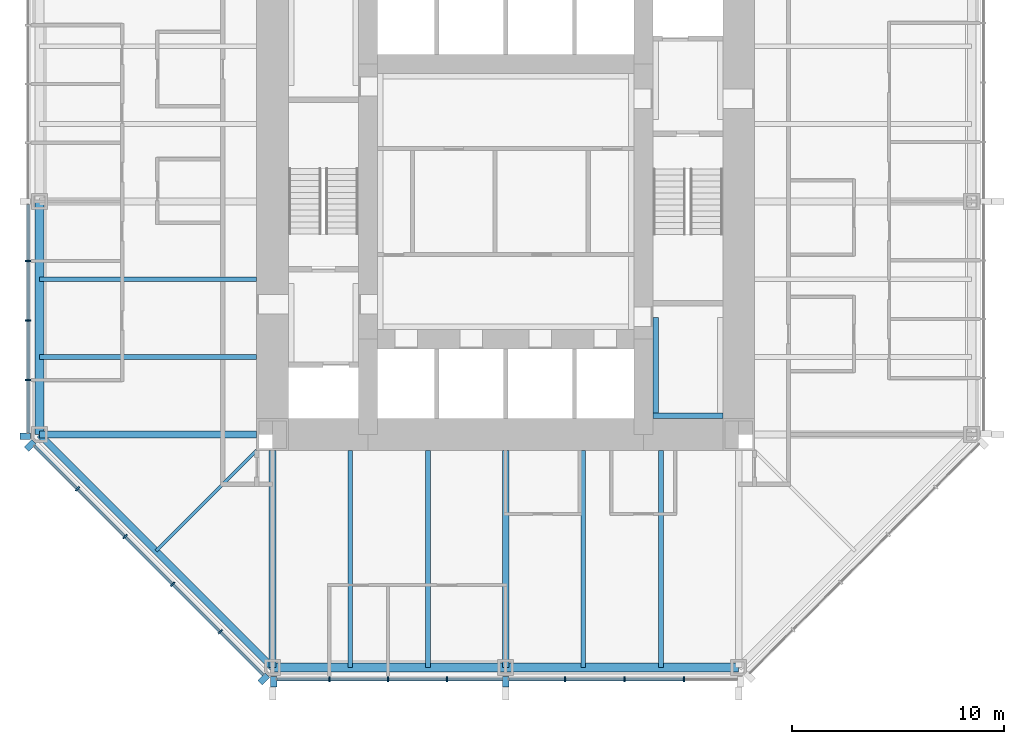
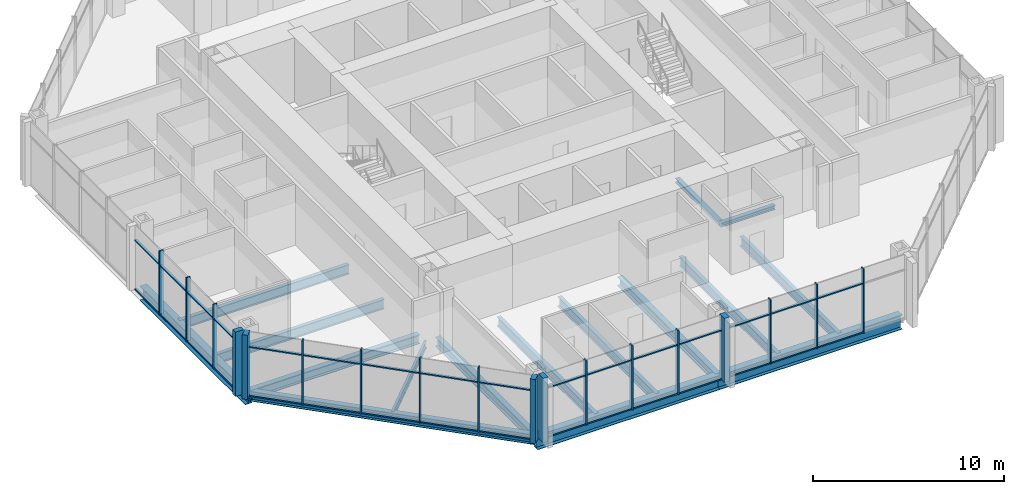
# One storey, part 2 of 12: 50 members, 16 beams, 3 elements without a shape of their own.
"""IFC4 building model written with IfcOpenShell, lengths in metres."""

from ifc_helpers import new_model, si_unit, direction, frame, origin, origin_2d, place, context, subcontext, project, spatial, rectangle, i_section, extrude, material, material_profile, profile_set, type_object, element, aggregate, save


model = new_model("IFC4")

# Units and contexts
model_context = context("Model", 3, precision=1e-05, world=origin(), true_north=direction((0.0, 1.0)))
body_context = subcontext(model_context, "Body", "Model", "MODEL_VIEW")
ifc_project = project(units=[si_unit("LENGTHUNIT", "METRE"), si_unit("AREAUNIT", "SQUARE_METRE"), si_unit("VOLUMEUNIT", "CUBIC_METRE"), si_unit("PLANEANGLEUNIT", "RADIAN"), si_unit("MASSUNIT", "GRAM", prefix="KILO")], contexts=[model_context])

# Site, building, storey
site_placement = place(None, origin())
site = spatial("IfcSite", under=ifc_project, at=site_placement, CompositionType="ELEMENT")
building_placement = place(site_placement, origin())
building = spatial("IfcBuilding", under=site, at=building_placement, Name="Trevanion Tower", CompositionType="ELEMENT")
storey_placement = place(building_placement, frame((0.0, 0.0, 113.10009765625)))
storey = spatial("IfcBuildingStorey", under=building, at=storey_placement, Name="L26", CompositionType="ELEMENT", Elevation=113.10009765625)

# Beams
ifc_material_1 = material(Name="Steel ASTM A992 Grade 50", Category="steel")
ifc_material_profile_1 = material_profile(ifc_material_1, i_section(OverallWidth=0.22900390625, OverallDepth=0.612060546875, WebThickness=0.011962890625, FlangeThickness=0.01953125, at=origin_2d()), Name="W24X84")
ifc_profile_set_1 = profile_set([ifc_material_profile_1], Name="Steel ASTM A992 Grade 50")
beam_type_1 = type_object("IfcBeamType", Name="B7 W24X84", PredefinedType="BEAM", material=ifc_profile_set_1)
for number, where, z_axis, x_axis, name in (
    (1, (-11.75, -3.666748046875, -0.49609375), (-1.0, 0.0, 0.0), (0.0, -1.0, 0.0), "B7 L26"),
    (2, (-11.75, -7.333251953125, -0.49609375), (-1.0, 0.0, 0.0), (0.0, -1.0, 0.0), "B7 L26"),
    (3, (-7.333251953125, -11.75, -0.49609375), (0.0, -1.0, 0.0), (1.0, 0.0, 0.0), "B7 L26"),
    (4, (-3.666748046875, -11.75, -0.49609375), (0.0, -1.0, 0.0), (1.0, 0.0, 0.0), "B7 L26"),
    (5, (3.666748046875, -11.75, -0.49609375), (0.0, -1.0, 0.0), (1.0, 0.0, 0.0), "B7 L26"),
    (6, (7.333251953125, -11.75, -0.49609375), (0.0, -1.0, 0.0), (1.0, 0.0, 0.0), "B7 L26"),
):
    element("IfcBeam", number, at=place(storey_placement, frame(where, z_axis=z_axis, x_axis=x_axis)), inside=storey, type_object=beam_type_1, Name=name, PredefinedType="BEAM", context=body_context, shape_type="SweptSolid", body=[
        extrude(i_section(OverallWidth=0.22900390625, OverallDepth=0.612060546875, WebThickness=0.011962890625, FlangeThickness=0.01953125, at=origin_2d()), origin(), (0.0, 0.0, 1.0), 10.25),
    ])
ifc_material_2 = material(Name="Steel ASTM A992 Grade 50", Category="steel")
ifc_material_profile_2 = material_profile(ifc_material_2, i_section(OverallWidth=0.15234375, OverallDepth=0.449462890625, WebThickness=0.007568359375, FlangeThickness=0.0107421875, at=origin_2d()), Name="W18X35")
ifc_profile_set_2 = profile_set([ifc_material_profile_2], Name="Steel ASTM A992 Grade 50")
beam_type_2 = type_object("IfcBeamType", Name="B8 W18X35", PredefinedType="BEAM", material=ifc_profile_set_2)
beam_1_placement = place(storey_placement, frame((-11.75, -11.75, -0.414794921875), z_axis=(-0.707106781187, -0.707106781187, 0.0), x_axis=(0.707106781187, -0.707106781187, 0.0)))
element("IfcBeam", 7, at=beam_1_placement, inside=storey, type_object=beam_type_2, Name="B8 L26", PredefinedType="BEAM", context=body_context, shape_type="SweptSolid", body=[
    extrude(i_section(OverallWidth=0.15234375, OverallDepth=0.449462890625, WebThickness=0.007568359375, FlangeThickness=0.0107421875, at=origin_2d()), origin(), (0.0, 0.0, 1.0), 6.717529296875),
])

# Curtain wall, members
ifc_material_3 = material(Name="Aluminium and glass", Category="aluminium")
curtain_wall_type = type_object("IfcCurtainWallType", Name="CW2 curtain wall", PredefinedType="USERDEFINED", material=ifc_material_3)
curtain_wall_1_placement = place(storey_placement, origin())
curtain_wall_1 = element("IfcCurtainWall", 8, at=curtain_wall_1_placement, inside=storey, type_object=curtain_wall_type, Name="CW2 L26 4", ObjectType="UNITISED CURTAIN WALL", PredefinedType="USERDEFINED")
ifc_material_4 = material(Name="Aluminium extrusion, anodised bronze", Category="aluminium")
ifc_material_profile_3 = material_profile(ifc_material_4, rectangle(XDim=0.074951171875, YDim=0.25, at=origin_2d()), Name="CW2 mullion")
ifc_profile_set_3 = profile_set([ifc_material_profile_3], Name="Aluminium extrusion, anodised bronze")
member_type_1 = type_object("IfcMemberType", Name="CW2 mullion", PredefinedType="MULLION", material=ifc_profile_set_3)
member_1_placement = place(storey_placement, frame((-22.550048828125, -2.806884765625, -0.190185546875), z_axis=(0.0, 0.0, 1.0), x_axis=(0.0, -1.0, 0.0)))
member_1 = element("IfcMember", 9, at=member_1_placement, type_object=member_type_1, Name="CW2 mullion 6", PredefinedType="MULLION", context=body_context, shape_type="SweptSolid", body=[
    extrude(rectangle(XDim=0.074951171875, YDim=0.25, at=origin_2d()), origin(), (0.0, 0.0, 1.0), 4.10009765625),
])
member_2_placement = place(storey_placement, frame((-22.550048828125, -5.614013671875, -0.190185546875), z_axis=(0.0, 0.0, 1.0), x_axis=(0.0, -1.0, 0.0)))
member_2 = element("IfcMember", 10, at=member_2_placement, type_object=member_type_1, Name="CW2 mullion 7", PredefinedType="MULLION", context=body_context, shape_type="SweptSolid", body=[
    extrude(rectangle(XDim=0.074951171875, YDim=0.25, at=origin_2d()), origin(), (0.0, 0.0, 1.0), 4.10009765625),
])
member_3_placement = place(storey_placement, frame((-22.550048828125, -8.4208984375, -0.190185546875), z_axis=(0.0, 0.0, 1.0), x_axis=(0.0, -1.0, 0.0)))
member_3 = element("IfcMember", 11, at=member_3_placement, type_object=member_type_1, Name="CW2 mullion 8", PredefinedType="MULLION", context=body_context, shape_type="SweptSolid", body=[
    extrude(rectangle(XDim=0.074951171875, YDim=0.25, at=origin_2d()), origin(), (0.0, 0.0, 1.0), 4.10009765625),
])

curtain_wall_2_placement = place(storey_placement, origin())
curtain_wall_2 = element("IfcCurtainWall", 12, at=curtain_wall_2_placement, inside=storey, type_object=curtain_wall_type, Name="CW2 L26 5", ObjectType="UNITISED CURTAIN WALL", PredefinedType="USERDEFINED")
member_4_placement = place(storey_placement, frame((-20.2119140625, -13.56591796875, -0.190185546875), z_axis=(0.0, 0.0, 1.0), x_axis=(0.707106781187, -0.707106781187, 0.0)))
member_4 = element("IfcMember", 13, at=member_4_placement, type_object=member_type_1, Name="CW2 mullion 2", PredefinedType="MULLION", context=body_context, shape_type="SweptSolid", body=[
    extrude(rectangle(XDim=0.074951171875, YDim=0.25, at=origin_2d()), origin(), (0.0, 0.0, 1.0), 4.10009765625),
])
member_5_placement = place(storey_placement, frame((-17.966064453125, -15.811767578125, -0.190185546875), z_axis=(0.0, 0.0, 1.0), x_axis=(0.707106781187, -0.707106781187, 0.0)))
member_5 = element("IfcMember", 14, at=member_5_placement, type_object=member_type_1, Name="CW2 mullion 3", PredefinedType="MULLION", context=body_context, shape_type="SweptSolid", body=[
    extrude(rectangle(XDim=0.074951171875, YDim=0.25, at=origin_2d()), origin(), (0.0, 0.0, 1.0), 4.10009765625),
])
member_6_placement = place(storey_placement, frame((-15.719970703125, -18.057861328125, -0.190185546875), z_axis=(0.0, 0.0, 1.0), x_axis=(0.707106781187, -0.707106781187, 0.0)))
member_6 = element("IfcMember", 15, at=member_6_placement, type_object=member_type_1, Name="CW2 mullion 4", PredefinedType="MULLION", context=body_context, shape_type="SweptSolid", body=[
    extrude(rectangle(XDim=0.074951171875, YDim=0.25, at=origin_2d()), origin(), (0.0, 0.0, 1.0), 4.10009765625),
])
member_7_placement = place(storey_placement, frame((-13.473876953125, -20.303955078125, -0.190185546875), z_axis=(0.0, 0.0, 1.0), x_axis=(0.707106781187, -0.707106781187, 0.0)))
member_7 = element("IfcMember", 16, at=member_7_placement, type_object=member_type_1, Name="CW2 mullion 5", PredefinedType="MULLION", context=body_context, shape_type="SweptSolid", body=[
    extrude(rectangle(XDim=0.074951171875, YDim=0.25, at=origin_2d()), origin(), (0.0, 0.0, 1.0), 4.10009765625),
])

curtain_wall_3_placement = place(storey_placement, origin())
curtain_wall_3 = element("IfcCurtainWall", 17, at=curtain_wall_3_placement, inside=storey, type_object=curtain_wall_type, Name="CW2 L26 6", ObjectType="UNITISED CURTAIN WALL", PredefinedType="USERDEFINED")
member_8_placement = place(storey_placement, frame((-8.323486328125, -22.550048828125, -0.190185546875), z_axis=(0.0, 0.0, 1.0), x_axis=(1.0, 0.0, 0.0)))
member_8 = element("IfcMember", 18, at=member_8_placement, type_object=member_type_1, Name="CW2 mullion 2", PredefinedType="MULLION", context=body_context, shape_type="SweptSolid", body=[
    extrude(rectangle(XDim=0.074951171875, YDim=0.25, at=origin_2d()), origin(), (0.0, 0.0, 1.0), 4.10009765625),
])
member_9_placement = place(storey_placement, frame((-5.548828125, -22.550048828125, -0.190185546875), z_axis=(0.0, 0.0, 1.0), x_axis=(1.0, 0.0, 0.0)))
member_9 = element("IfcMember", 19, at=member_9_placement, type_object=member_type_1, Name="CW2 mullion 3", PredefinedType="MULLION", context=body_context, shape_type="SweptSolid", body=[
    extrude(rectangle(XDim=0.074951171875, YDim=0.25, at=origin_2d()), origin(), (0.0, 0.0, 1.0), 4.10009765625),
])
member_10_placement = place(storey_placement, frame((-2.7744140625, -22.550048828125, -0.190185546875), z_axis=(0.0, 0.0, 1.0), x_axis=(1.0, 0.0, 0.0)))
member_10 = element("IfcMember", 20, at=member_10_placement, type_object=member_type_1, Name="CW2 mullion 4", PredefinedType="MULLION", context=body_context, shape_type="SweptSolid", body=[
    extrude(rectangle(XDim=0.074951171875, YDim=0.25, at=origin_2d()), origin(), (0.0, 0.0, 1.0), 4.10009765625),
])
member_11_placement = place(storey_placement, frame((2.806884765625, -22.550048828125, -0.190185546875), z_axis=(0.0, 0.0, 1.0), x_axis=(1.0, 0.0, 0.0)))
member_11 = element("IfcMember", 21, at=member_11_placement, type_object=member_type_1, Name="CW2 mullion 6", PredefinedType="MULLION", context=body_context, shape_type="SweptSolid", body=[
    extrude(rectangle(XDim=0.074951171875, YDim=0.25, at=origin_2d()), origin(), (0.0, 0.0, 1.0), 4.10009765625),
])
member_12_placement = place(storey_placement, frame((5.614013671875, -22.550048828125, -0.190185546875), z_axis=(0.0, 0.0, 1.0), x_axis=(1.0, 0.0, 0.0)))
member_12 = element("IfcMember", 22, at=member_12_placement, type_object=member_type_1, Name="CW2 mullion 7", PredefinedType="MULLION", context=body_context, shape_type="SweptSolid", body=[
    extrude(rectangle(XDim=0.074951171875, YDim=0.25, at=origin_2d()), origin(), (0.0, 0.0, 1.0), 4.10009765625),
])
member_13_placement = place(storey_placement, frame((8.4208984375, -22.550048828125, -0.190185546875), z_axis=(0.0, 0.0, 1.0), x_axis=(1.0, 0.0, 0.0)))
member_13 = element("IfcMember", 23, at=member_13_placement, type_object=member_type_1, Name="CW2 mullion 8", PredefinedType="MULLION", context=body_context, shape_type="SweptSolid", body=[
    extrude(rectangle(XDim=0.074951171875, YDim=0.25, at=origin_2d()), origin(), (0.0, 0.0, 1.0), 4.10009765625),
])

# Member
ifc_material_5 = material(Name="Aluminium extrusion, anodised bronze", Category="aluminium")
ifc_material_profile_4 = material_profile(ifc_material_5, rectangle(XDim=0.300048828125, YDim=0.5, at=origin_2d()), Name="CW2 pier mullion")
ifc_profile_set_4 = profile_set([ifc_material_profile_4], Name="Aluminium extrusion, anodised bronze")
member_type_2 = type_object("IfcMemberType", Name="CW2 pier mullion", PredefinedType="MULLION", material=ifc_profile_set_4)
member_14_placement = place(storey_placement, frame((-22.675048828125, -11.077880859375, -0.190185546875), z_axis=(0.0, 0.0, 1.0), x_axis=(0.0, -1.0, 0.0)))
member_14 = element("IfcMember", 24, at=member_14_placement, type_object=member_type_2, Name="CW2 pier mullion 9", PredefinedType="MULLION", context=body_context, shape_type="SweptSolid", body=[
    extrude(rectangle(XDim=0.300048828125, YDim=0.5, at=origin_2d()), origin(), (0.0, 0.0, 1.0), 4.10009765625),
])

member_15_placement = place(storey_placement, frame((-22.4404296875, -11.51416015625, -0.190185546875), z_axis=(0.0, 0.0, 1.0), x_axis=(0.707106781187, -0.707106781187, 0.0)))
member_15 = element("IfcMember", 25, at=member_15_placement, type_object=member_type_2, Name="CW2 pier mullion 1", PredefinedType="MULLION", context=body_context, shape_type="SweptSolid", body=[
    extrude(rectangle(XDim=0.300048828125, YDim=0.5, at=origin_2d()), origin(), (0.0, 0.0, 1.0), 4.10009765625),
])

member_16_placement = place(storey_placement, frame((-11.42236328125, -22.5322265625, -0.190185546875), z_axis=(0.0, 0.0, 1.0), x_axis=(0.707106781187, -0.707106781187, 0.0)))
member_16 = element("IfcMember", 26, at=member_16_placement, type_object=member_type_2, Name="CW2 pier mullion 6", PredefinedType="MULLION", context=body_context, shape_type="SweptSolid", body=[
    extrude(rectangle(XDim=0.300048828125, YDim=0.5, at=origin_2d()), origin(), (0.0, 0.0, 1.0), 4.10009765625),
])

member_17_placement = place(storey_placement, frame((-10.94775390625, -22.675048828125, -0.190185546875), z_axis=(0.0, 0.0, 1.0), x_axis=(1.0, 0.0, 0.0)))
member_17 = element("IfcMember", 27, at=member_17_placement, type_object=member_type_2, Name="CW2 pier mullion 1", PredefinedType="MULLION", context=body_context, shape_type="SweptSolid", body=[
    extrude(rectangle(XDim=0.300048828125, YDim=0.5, at=origin_2d()), origin(), (0.0, 0.0, 1.0), 4.10009765625),
])

member_18_placement = place(storey_placement, frame((0.0, -22.675048828125, -0.190185546875), z_axis=(0.0, 0.0, 1.0), x_axis=(1.0, 0.0, 0.0)))
member_18 = element("IfcMember", 28, at=member_18_placement, type_object=member_type_2, Name="CW2 pier mullion 5", PredefinedType="MULLION", context=body_context, shape_type="SweptSolid", body=[
    extrude(rectangle(XDim=0.300048828125, YDim=0.5, at=origin_2d()), origin(), (0.0, 0.0, 1.0), 4.10009765625),
])

ifc_material_6 = material(Name="Aluminium extrusion, anodised bronze", Category="aluminium")
ifc_material_profile_5 = material_profile(ifc_material_6, rectangle(XDim=0.14990234375, YDim=0.074951171875, at=origin_2d()), Name="CW2 transom")
ifc_profile_set_5 = profile_set([ifc_material_profile_5], Name="Aluminium extrusion, anodised bronze")
member_type_3 = type_object("IfcMemberType", Name="CW2 transom", PredefinedType="USERDEFINED", material=ifc_profile_set_5)
member_19_placement = place(storey_placement, frame((-22.550048828125, -0.14990234375, -0.152587890625), z_axis=(0.0, -1.0, 0.0), x_axis=(1.0, 0.0, 0.0)))
member_19 = element("IfcMember", 29, at=member_19_placement, type_object=member_type_3, Name="CW2 transom 5.1", ObjectType="TRANSOM", PredefinedType="USERDEFINED", context=body_context, shape_type="SweptSolid", body=[
    extrude(rectangle(XDim=0.14990234375, YDim=0.074951171875, at=origin_2d()), origin(), (0.0, 0.0, 1.0), 2.619384765625),
])

member_20_placement = place(storey_placement, frame((-22.550048828125, -0.14990234375, 2.9599609375), z_axis=(0.0, -1.0, 0.0), x_axis=(1.0, 0.0, 0.0)))
member_20 = element("IfcMember", 30, at=member_20_placement, type_object=member_type_3, Name="CW2 transom 5.2", ObjectType="TRANSOM", PredefinedType="USERDEFINED", context=body_context, shape_type="SweptSolid", body=[
    extrude(rectangle(XDim=0.14990234375, YDim=0.074951171875, at=origin_2d()), origin(), (0.0, 0.0, 1.0), 2.619384765625),
])

member_21_placement = place(storey_placement, frame((-22.550048828125, -2.844482421875, -0.152587890625), z_axis=(0.0, -1.0, 0.0), x_axis=(1.0, 0.0, 0.0)))
member_21 = element("IfcMember", 31, at=member_21_placement, type_object=member_type_3, Name="CW2 transom 6.1", ObjectType="TRANSOM", PredefinedType="USERDEFINED", context=body_context, shape_type="SweptSolid", body=[
    extrude(rectangle(XDim=0.14990234375, YDim=0.074951171875, at=origin_2d()), origin(), (0.0, 0.0, 1.0), 2.73193359375),
])

member_22_placement = place(storey_placement, frame((-22.550048828125, -2.844482421875, 2.9599609375), z_axis=(0.0, -1.0, 0.0), x_axis=(1.0, 0.0, 0.0)))
member_22 = element("IfcMember", 32, at=member_22_placement, type_object=member_type_3, Name="CW2 transom 6.2", ObjectType="TRANSOM", PredefinedType="USERDEFINED", context=body_context, shape_type="SweptSolid", body=[
    extrude(rectangle(XDim=0.14990234375, YDim=0.074951171875, at=origin_2d()), origin(), (0.0, 0.0, 1.0), 2.73193359375),
])

member_23_placement = place(storey_placement, frame((-22.550048828125, -5.6513671875, -0.152587890625), z_axis=(0.0, -1.0, 0.0), x_axis=(1.0, 0.0, 0.0)))
member_23 = element("IfcMember", 33, at=member_23_placement, type_object=member_type_3, Name="CW2 transom 7.1", ObjectType="TRANSOM", PredefinedType="USERDEFINED", context=body_context, shape_type="SweptSolid", body=[
    extrude(rectangle(XDim=0.14990234375, YDim=0.074951171875, at=origin_2d()), origin(), (0.0, 0.0, 1.0), 2.73193359375),
])

member_24_placement = place(storey_placement, frame((-22.550048828125, -5.6513671875, 2.9599609375), z_axis=(0.0, -1.0, 0.0), x_axis=(1.0, 0.0, 0.0)))
member_24 = element("IfcMember", 34, at=member_24_placement, type_object=member_type_3, Name="CW2 transom 7.2", ObjectType="TRANSOM", PredefinedType="USERDEFINED", context=body_context, shape_type="SweptSolid", body=[
    extrude(rectangle(XDim=0.14990234375, YDim=0.074951171875, at=origin_2d()), origin(), (0.0, 0.0, 1.0), 2.73193359375),
])

member_25_placement = place(storey_placement, frame((-22.550048828125, -8.45849609375, -0.152587890625), z_axis=(0.0, -1.0, 0.0), x_axis=(1.0, 0.0, 0.0)))
member_25 = element("IfcMember", 35, at=member_25_placement, type_object=member_type_3, Name="CW2 transom 8.1", ObjectType="TRANSOM", PredefinedType="USERDEFINED", context=body_context, shape_type="SweptSolid", body=[
    extrude(rectangle(XDim=0.14990234375, YDim=0.074951171875, at=origin_2d()), origin(), (0.0, 0.0, 1.0), 2.46923828125),
])

member_26_placement = place(storey_placement, frame((-22.550048828125, -8.45849609375, 2.9599609375), z_axis=(0.0, -1.0, 0.0), x_axis=(1.0, 0.0, 0.0)))
member_26 = element("IfcMember", 36, at=member_26_placement, type_object=member_type_3, Name="CW2 transom 8.2", ObjectType="TRANSOM", PredefinedType="USERDEFINED", context=body_context, shape_type="SweptSolid", body=[
    extrude(rectangle(XDim=0.14990234375, YDim=0.074951171875, at=origin_2d()), origin(), (0.0, 0.0, 1.0), 2.46923828125),
])

aggregate(curtain_wall_1, [member_1, member_2, member_3, member_14, member_19, member_20, member_21, member_22, member_23, member_24, member_25, member_26])

member_27_placement = place(storey_placement, frame((-22.245849609375, -11.531982421875, -0.152587890625), z_axis=(0.707106781187, -0.707106781187, 0.0), x_axis=(0.707106781187, 0.707106781187, 0.0)))
member_27 = element("IfcMember", 37, at=member_27_placement, type_object=member_type_3, Name="CW2 transom 1.1", ObjectType="TRANSOM", PredefinedType="USERDEFINED", context=body_context, shape_type="SweptSolid", body=[
    extrude(rectangle(XDim=0.14990234375, YDim=0.074951171875, at=origin_2d()), origin(), (0.0, 0.0, 1.0), 2.8388671875),
])

member_28_placement = place(storey_placement, frame((-22.245849609375, -11.531982421875, 2.9599609375), z_axis=(0.707106781187, -0.707106781187, 0.0), x_axis=(0.707106781187, 0.707106781187, 0.0)))
member_28 = element("IfcMember", 38, at=member_28_placement, type_object=member_type_3, Name="CW2 transom 1.2", ObjectType="TRANSOM", PredefinedType="USERDEFINED", context=body_context, shape_type="SweptSolid", body=[
    extrude(rectangle(XDim=0.14990234375, YDim=0.074951171875, at=origin_2d()), origin(), (0.0, 0.0, 1.0), 2.8388671875),
])

member_29_placement = place(storey_placement, frame((-20.185546875, -13.59228515625, -0.152587890625), z_axis=(0.707106781187, -0.707106781187, 0.0), x_axis=(0.707106781187, 0.707106781187, 0.0)))
member_29 = element("IfcMember", 39, at=member_29_placement, type_object=member_type_3, Name="CW2 transom 2.1", ObjectType="TRANSOM", PredefinedType="USERDEFINED", context=body_context, shape_type="SweptSolid", body=[
    extrude(rectangle(XDim=0.14990234375, YDim=0.074951171875, at=origin_2d()), origin(), (0.0, 0.0, 1.0), 3.1015625),
])

member_30_placement = place(storey_placement, frame((-20.185546875, -13.59228515625, 2.9599609375), z_axis=(0.707106781187, -0.707106781187, 0.0), x_axis=(0.707106781187, 0.707106781187, 0.0)))
member_30 = element("IfcMember", 40, at=member_30_placement, type_object=member_type_3, Name="CW2 transom 2.2", ObjectType="TRANSOM", PredefinedType="USERDEFINED", context=body_context, shape_type="SweptSolid", body=[
    extrude(rectangle(XDim=0.14990234375, YDim=0.074951171875, at=origin_2d()), origin(), (0.0, 0.0, 1.0), 3.1015625),
])

member_31_placement = place(storey_placement, frame((-17.939453125, -15.83837890625, -0.152587890625), z_axis=(0.707106781187, -0.707106781187, 0.0), x_axis=(0.707106781187, 0.707106781187, 0.0)))
member_31 = element("IfcMember", 41, at=member_31_placement, type_object=member_type_3, Name="CW2 transom 3.1", ObjectType="TRANSOM", PredefinedType="USERDEFINED", context=body_context, shape_type="SweptSolid", body=[
    extrude(rectangle(XDim=0.14990234375, YDim=0.074951171875, at=origin_2d()), origin(), (0.0, 0.0, 1.0), 3.1015625),
])

member_32_placement = place(storey_placement, frame((-17.939453125, -15.83837890625, 2.9599609375), z_axis=(0.707106781187, -0.707106781187, 0.0), x_axis=(0.707106781187, 0.707106781187, 0.0)))
member_32 = element("IfcMember", 42, at=member_32_placement, type_object=member_type_3, Name="CW2 transom 3.2", ObjectType="TRANSOM", PredefinedType="USERDEFINED", context=body_context, shape_type="SweptSolid", body=[
    extrude(rectangle(XDim=0.14990234375, YDim=0.074951171875, at=origin_2d()), origin(), (0.0, 0.0, 1.0), 3.1015625),
])

member_33_placement = place(storey_placement, frame((-15.693359375, -18.08447265625, -0.152587890625), z_axis=(0.707106781187, -0.707106781187, 0.0), x_axis=(0.707106781187, 0.707106781187, 0.0)))
member_33 = element("IfcMember", 43, at=member_33_placement, type_object=member_type_3, Name="CW2 transom 4.1", ObjectType="TRANSOM", PredefinedType="USERDEFINED", context=body_context, shape_type="SweptSolid", body=[
    extrude(rectangle(XDim=0.14990234375, YDim=0.074951171875, at=origin_2d()), origin(), (0.0, 0.0, 1.0), 3.10107421875),
])

member_34_placement = place(storey_placement, frame((-15.693359375, -18.08447265625, 2.9599609375), z_axis=(0.707106781187, -0.707106781187, 0.0), x_axis=(0.707106781187, 0.707106781187, 0.0)))
member_34 = element("IfcMember", 44, at=member_34_placement, type_object=member_type_3, Name="CW2 transom 4.2", ObjectType="TRANSOM", PredefinedType="USERDEFINED", context=body_context, shape_type="SweptSolid", body=[
    extrude(rectangle(XDim=0.14990234375, YDim=0.074951171875, at=origin_2d()), origin(), (0.0, 0.0, 1.0), 3.10107421875),
])

member_35_placement = place(storey_placement, frame((-13.447509765625, -20.33056640625, -0.152587890625), z_axis=(0.707149778163, -0.707063781595, 0.0), x_axis=(0.707063781595, 0.707149778163, 0.0)))
member_35 = element("IfcMember", 45, at=member_35_placement, type_object=member_type_3, Name="CW2 transom 5.1", ObjectType="TRANSOM", PredefinedType="USERDEFINED", context=body_context, shape_type="SweptSolid", body=[
    extrude(rectangle(XDim=0.14990234375, YDim=0.074951171875, at=origin_2d()), origin(), (0.0, 0.0, 1.0), 2.8388671875),
])

member_36_placement = place(storey_placement, frame((-13.447509765625, -20.33056640625, 2.9599609375), z_axis=(0.707149778163, -0.707063781595, 0.0), x_axis=(0.707063781595, 0.707149778163, 0.0)))
member_36 = element("IfcMember", 46, at=member_36_placement, type_object=member_type_3, Name="CW2 transom 5.2", ObjectType="TRANSOM", PredefinedType="USERDEFINED", context=body_context, shape_type="SweptSolid", body=[
    extrude(rectangle(XDim=0.14990234375, YDim=0.074951171875, at=origin_2d()), origin(), (0.0, 0.0, 1.0), 2.8388671875),
])

aggregate(curtain_wall_2, [member_15, member_4, member_5, member_6, member_7, member_16, member_27, member_28, member_29, member_30, member_31, member_32, member_33, member_34, member_35, member_36])

member_37_placement = place(storey_placement, frame((-10.7978515625, -22.550048828125, -0.152587890625), z_axis=(1.0, 0.0, 0.0), x_axis=(0.0, 1.0, 0.0)))
member_37 = element("IfcMember", 47, at=member_37_placement, type_object=member_type_3, Name="CW2 transom 1.1", ObjectType="TRANSOM", PredefinedType="USERDEFINED", context=body_context, shape_type="SweptSolid", body=[
    extrude(rectangle(XDim=0.14990234375, YDim=0.074951171875, at=origin_2d()), origin(), (0.0, 0.0, 1.0), 2.43701171875),
])

member_38_placement = place(storey_placement, frame((-10.7978515625, -22.550048828125, 2.9599609375), z_axis=(1.0, 0.0, 0.0), x_axis=(0.0, 1.0, 0.0)))
member_38 = element("IfcMember", 48, at=member_38_placement, type_object=member_type_3, Name="CW2 transom 1.2", ObjectType="TRANSOM", PredefinedType="USERDEFINED", context=body_context, shape_type="SweptSolid", body=[
    extrude(rectangle(XDim=0.14990234375, YDim=0.074951171875, at=origin_2d()), origin(), (0.0, 0.0, 1.0), 2.43701171875),
])

member_39_placement = place(storey_placement, frame((-8.285888671875, -22.550048828125, -0.152587890625), z_axis=(1.0, 0.0, 0.0), x_axis=(0.0, 1.0, 0.0)))
member_39 = element("IfcMember", 49, at=member_39_placement, type_object=member_type_3, Name="CW2 transom 2.1", ObjectType="TRANSOM", PredefinedType="USERDEFINED", context=body_context, shape_type="SweptSolid", body=[
    extrude(rectangle(XDim=0.14990234375, YDim=0.074951171875, at=origin_2d()), origin(), (0.0, 0.0, 1.0), 2.699462890625),
])

member_40_placement = place(storey_placement, frame((-8.285888671875, -22.550048828125, 2.9599609375), z_axis=(1.0, 0.0, 0.0), x_axis=(0.0, 1.0, 0.0)))
member_40 = element("IfcMember", 50, at=member_40_placement, type_object=member_type_3, Name="CW2 transom 2.2", ObjectType="TRANSOM", PredefinedType="USERDEFINED", context=body_context, shape_type="SweptSolid", body=[
    extrude(rectangle(XDim=0.14990234375, YDim=0.074951171875, at=origin_2d()), origin(), (0.0, 0.0, 1.0), 2.699462890625),
])

member_41_placement = place(storey_placement, frame((-5.511474609375, -22.550048828125, -0.152587890625), z_axis=(1.0, 0.0, 0.0), x_axis=(0.0, 1.0, 0.0)))
member_41 = element("IfcMember", 51, at=member_41_placement, type_object=member_type_3, Name="CW2 transom 3.1", ObjectType="TRANSOM", PredefinedType="USERDEFINED", context=body_context, shape_type="SweptSolid", body=[
    extrude(rectangle(XDim=0.14990234375, YDim=0.074951171875, at=origin_2d()), origin(), (0.0, 0.0, 1.0), 2.699462890625),
])

member_42_placement = place(storey_placement, frame((-5.511474609375, -22.550048828125, 2.9599609375), z_axis=(1.0, 0.0, 0.0), x_axis=(0.0, 1.0, 0.0)))
member_42 = element("IfcMember", 52, at=member_42_placement, type_object=member_type_3, Name="CW2 transom 3.2", ObjectType="TRANSOM", PredefinedType="USERDEFINED", context=body_context, shape_type="SweptSolid", body=[
    extrude(rectangle(XDim=0.14990234375, YDim=0.074951171875, at=origin_2d()), origin(), (0.0, 0.0, 1.0), 2.699462890625),
])

member_43_placement = place(storey_placement, frame((-2.737060546875, -22.550048828125, -0.152587890625), z_axis=(1.0, 0.0, 0.0), x_axis=(0.0, 1.0, 0.0)))
member_43 = element("IfcMember", 53, at=member_43_placement, type_object=member_type_3, Name="CW2 transom 4.1", ObjectType="TRANSOM", PredefinedType="USERDEFINED", context=body_context, shape_type="SweptSolid", body=[
    extrude(rectangle(XDim=0.14990234375, YDim=0.074951171875, at=origin_2d()), origin(), (0.0, 0.0, 1.0), 2.587158203125),
])

member_44_placement = place(storey_placement, frame((-2.737060546875, -22.550048828125, 2.9599609375), z_axis=(1.0, 0.0, 0.0), x_axis=(0.0, 1.0, 0.0)))
member_44 = element("IfcMember", 54, at=member_44_placement, type_object=member_type_3, Name="CW2 transom 4.2", ObjectType="TRANSOM", PredefinedType="USERDEFINED", context=body_context, shape_type="SweptSolid", body=[
    extrude(rectangle(XDim=0.14990234375, YDim=0.074951171875, at=origin_2d()), origin(), (0.0, 0.0, 1.0), 2.587158203125),
])

member_45_placement = place(storey_placement, frame((0.14990234375, -22.550048828125, -0.152587890625), z_axis=(1.0, 0.0, 0.0), x_axis=(0.0, 1.0, 0.0)))
member_45 = element("IfcMember", 55, at=member_45_placement, type_object=member_type_3, Name="CW2 transom 5.1", ObjectType="TRANSOM", PredefinedType="USERDEFINED", context=body_context, shape_type="SweptSolid", body=[
    extrude(rectangle(XDim=0.14990234375, YDim=0.074951171875, at=origin_2d()), origin(), (0.0, 0.0, 1.0), 2.619384765625),
])

member_46_placement = place(storey_placement, frame((0.14990234375, -22.550048828125, 2.9599609375), z_axis=(1.0, 0.0, 0.0), x_axis=(0.0, 1.0, 0.0)))
member_46 = element("IfcMember", 56, at=member_46_placement, type_object=member_type_3, Name="CW2 transom 5.2", ObjectType="TRANSOM", PredefinedType="USERDEFINED", context=body_context, shape_type="SweptSolid", body=[
    extrude(rectangle(XDim=0.14990234375, YDim=0.074951171875, at=origin_2d()), origin(), (0.0, 0.0, 1.0), 2.619384765625),
])

member_47_placement = place(storey_placement, frame((2.844482421875, -22.550048828125, -0.152587890625), z_axis=(1.0, 0.0, 0.0), x_axis=(0.0, 1.0, 0.0)))
member_47 = element("IfcMember", 57, at=member_47_placement, type_object=member_type_3, Name="CW2 transom 6.1", ObjectType="TRANSOM", PredefinedType="USERDEFINED", context=body_context, shape_type="SweptSolid", body=[
    extrude(rectangle(XDim=0.14990234375, YDim=0.074951171875, at=origin_2d()), origin(), (0.0, 0.0, 1.0), 2.73193359375),
])

member_48_placement = place(storey_placement, frame((2.844482421875, -22.550048828125, 2.9599609375), z_axis=(1.0, 0.0, 0.0), x_axis=(0.0, 1.0, 0.0)))
member_48 = element("IfcMember", 58, at=member_48_placement, type_object=member_type_3, Name="CW2 transom 6.2", ObjectType="TRANSOM", PredefinedType="USERDEFINED", context=body_context, shape_type="SweptSolid", body=[
    extrude(rectangle(XDim=0.14990234375, YDim=0.074951171875, at=origin_2d()), origin(), (0.0, 0.0, 1.0), 2.73193359375),
])

member_49_placement = place(storey_placement, frame((5.6513671875, -22.550048828125, -0.152587890625), z_axis=(1.0, 0.0, 0.0), x_axis=(0.0, 1.0, 0.0)))
member_49 = element("IfcMember", 59, at=member_49_placement, type_object=member_type_3, Name="CW2 transom 7.1", ObjectType="TRANSOM", PredefinedType="USERDEFINED", context=body_context, shape_type="SweptSolid", body=[
    extrude(rectangle(XDim=0.14990234375, YDim=0.074951171875, at=origin_2d()), origin(), (0.0, 0.0, 1.0), 2.73193359375),
])

member_50_placement = place(storey_placement, frame((5.6513671875, -22.550048828125, 2.9599609375), z_axis=(1.0, 0.0, 0.0), x_axis=(0.0, 1.0, 0.0)))
member_50 = element("IfcMember", 60, at=member_50_placement, type_object=member_type_3, Name="CW2 transom 7.2", ObjectType="TRANSOM", PredefinedType="USERDEFINED", context=body_context, shape_type="SweptSolid", body=[
    extrude(rectangle(XDim=0.14990234375, YDim=0.074951171875, at=origin_2d()), origin(), (0.0, 0.0, 1.0), 2.73193359375),
])

aggregate(curtain_wall_3, [member_17, member_8, member_9, member_10, member_18, member_11, member_12, member_13, member_37, member_38, member_39, member_40, member_41, member_42, member_43, member_44, member_45, member_46, member_47, member_48, member_49, member_50])

# Beams
ifc_material_7 = material(Name="Steel ASTM A992 Grade 50", Category="steel")
ifc_material_profile_6 = material_profile(ifc_material_7, i_section(OverallWidth=0.320068359375, OverallDepth=0.584228515625, WebThickness=0.023193359375, FlangeThickness=0.04150390625, at=origin_2d()), Name="W21X201")
ifc_profile_set_6 = profile_set([ifc_material_profile_6], Name="Steel ASTM A992 Grade 50")
beam_type_3 = type_object("IfcBeamType", Name="G4 W21X201", PredefinedType="BEAM", material=ifc_profile_set_6)
for number, where, z_axis, x_axis, name in (
    (61, (-11.75, -11.0, -0.482177734375), (-1.0, 0.0, 0.0), (0.0, -1.0, 0.0), "G4 L26"),
    (62, (-11.0, -11.75, -0.482177734375), (0.0, -1.0, 0.0), (1.0, 0.0, 0.0), "G4 L26"),
    (63, (0.0, -11.75, -0.482177734375), (0.0, -1.0, 0.0), (1.0, 0.0, 0.0), "G4 L26"),
):
    element("IfcBeam", number, at=place(storey_placement, frame(where, z_axis=z_axis, x_axis=x_axis)), inside=storey, type_object=beam_type_3, Name=name, PredefinedType="BEAM", context=body_context, shape_type="SweptSolid", body=[
        extrude(i_section(OverallWidth=0.320068359375, OverallDepth=0.584228515625, WebThickness=0.023193359375, FlangeThickness=0.04150390625, at=origin_2d()), origin(), (0.0, 0.0, 1.0), 10.25),
    ])
ifc_material_8 = material(Name="Steel ASTM A992 Grade 50", Category="steel")
ifc_material_profile_7 = material_profile(ifc_material_8, i_section(OverallWidth=0.256591796875, OverallDepth=0.26416015625, WebThickness=0.011962890625, FlangeThickness=0.01953125, at=origin_2d()), Name="W10X68")
ifc_profile_set_7 = profile_set([ifc_material_profile_7], Name="Steel ASTM A992 Grade 50")
beam_type_4 = type_object("IfcBeamType", Name="LB1 W10X68", PredefinedType="BEAM", material=ifc_profile_set_7)
beam_2_placement = place(storey_placement, frame((7.078369140625, -10.25, -0.332275390625), z_axis=(0.0, 1.0, 0.0), x_axis=(-1.0, 0.0, 0.0)))
element("IfcBeam", 64, at=beam_2_placement, inside=storey, type_object=beam_type_4, Name="LB1 L26", PredefinedType="BEAM", context=body_context, shape_type="SweptSolid", body=[
    extrude(i_section(OverallWidth=0.256591796875, OverallDepth=0.26416015625, WebThickness=0.011962890625, FlangeThickness=0.01953125, at=origin_2d()), origin(), (0.0, 0.0, 1.0), 4.77490234375),
])
beam_3_placement = place(storey_placement, frame((6.949951171875, -10.12158203125, -0.332275390625), z_axis=(1.0, 0.0, 0.0), x_axis=(0.0, 1.0, 0.0)))
element("IfcBeam", 65, at=beam_3_placement, inside=storey, type_object=beam_type_4, Name="LB1 L26", PredefinedType="BEAM", context=body_context, shape_type="SweptSolid", body=[
    extrude(i_section(OverallWidth=0.256591796875, OverallDepth=0.26416015625, WebThickness=0.011962890625, FlangeThickness=0.01953125, at=origin_2d()), origin(), (0.0, 0.0, 1.0), 3.300048828125),
])
ifc_material_9 = material(Name="Steel ASTM A992 Grade 50", Category="steel")
ifc_material_profile_8 = material_profile(ifc_material_9, i_section(OverallWidth=0.419189453125, OverallDepth=0.927001953125, WebThickness=0.019287109375, FlangeThickness=0.031982421875, at=origin_2d()), Name="W36X231")
ifc_profile_set_8 = profile_set([ifc_material_profile_8], Name="Steel ASTM A992 Grade 50")
beam_type_5 = type_object("IfcBeamType", Name="SB4 W36X231", PredefinedType="SPANDREL", material=ifc_profile_set_8)
for number, where, z_axis, x_axis, name in (
    (66, (-22.0, 0.0, -0.65380859375), (0.0, -1.0, 0.0), (1.0, 0.0, 0.0), "SB4 L26"),
    (67, (-11.0, -22.0, -0.65380859375), (1.0, 0.0, 0.0), (0.0, 1.0, 0.0), "SB4 L26"),
    (68, (0.0, -22.0, -0.65380859375), (1.0, 0.0, 0.0), (0.0, 1.0, 0.0), "SB4 L26"),
):
    element("IfcBeam", number, at=place(storey_placement, frame(where, z_axis=z_axis, x_axis=x_axis)), inside=storey, type_object=beam_type_5, Name=name, PredefinedType="SPANDREL", context=body_context, shape_type="SweptSolid", body=[
        extrude(i_section(OverallWidth=0.419189453125, OverallDepth=0.927001953125, WebThickness=0.019287109375, FlangeThickness=0.031982421875, at=origin_2d()), origin(), (0.0, 0.0, 1.0), 11.0),
    ])
ifc_material_10 = material(Name="Steel ASTM A992 Grade 50", Category="steel")
ifc_material_profile_9 = material_profile(ifc_material_10, i_section(OverallWidth=0.32763671875, OverallDepth=0.62744140625, WebThickness=0.0166015625, FlangeThickness=0.027587890625, at=origin_2d()), Name="W24X146")
ifc_profile_set_9 = profile_set([ifc_material_profile_9], Name="Steel ASTM A992 Grade 50")
beam_type_6 = type_object("IfcBeamType", Name="SB5 W24X146", PredefinedType="SPANDREL", material=ifc_profile_set_9)
beam_4_placement = place(storey_placement, frame((-22.0, -11.0, -0.50390625), z_axis=(0.707106781187, -0.707106781187, 0.0), x_axis=(0.707106781187, 0.707106781187, 0.0)))
element("IfcBeam", 69, at=beam_4_placement, inside=storey, type_object=beam_type_6, Name="SB5 L26", PredefinedType="SPANDREL", context=body_context, shape_type="SweptSolid", body=[
    extrude(i_section(OverallWidth=0.32763671875, OverallDepth=0.62744140625, WebThickness=0.0166015625, FlangeThickness=0.027587890625, at=origin_2d()), origin(), (0.0, 0.0, 1.0), 15.556396484375),
])

save(model, "model.ifc")
